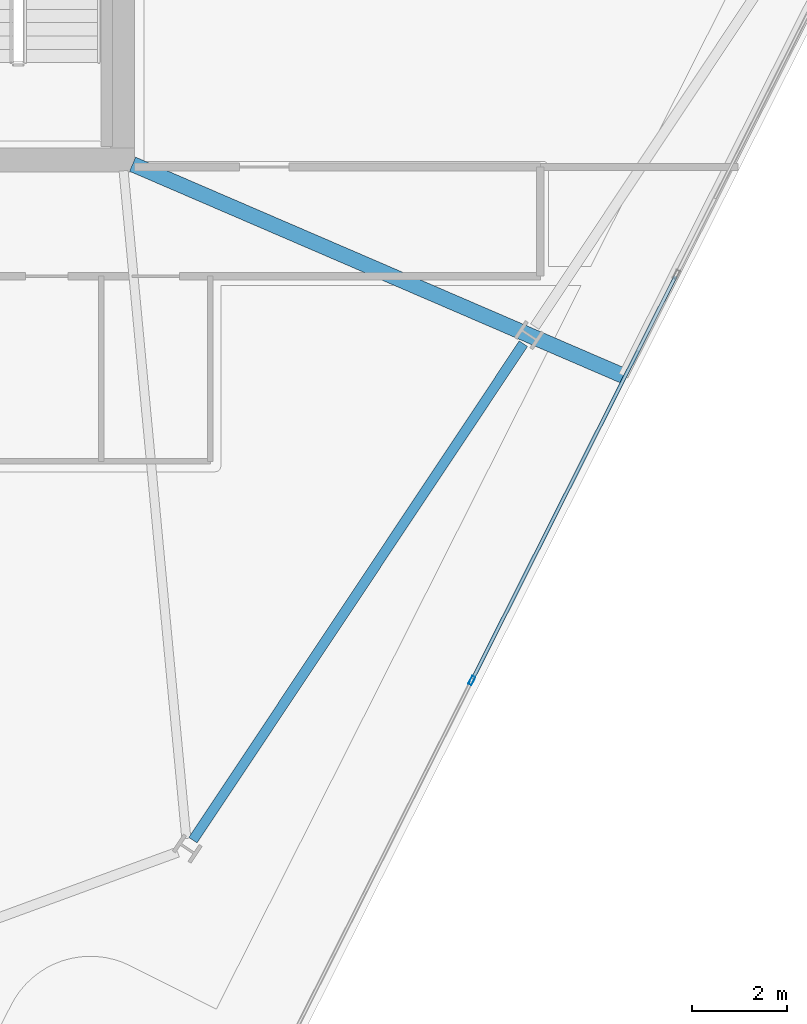
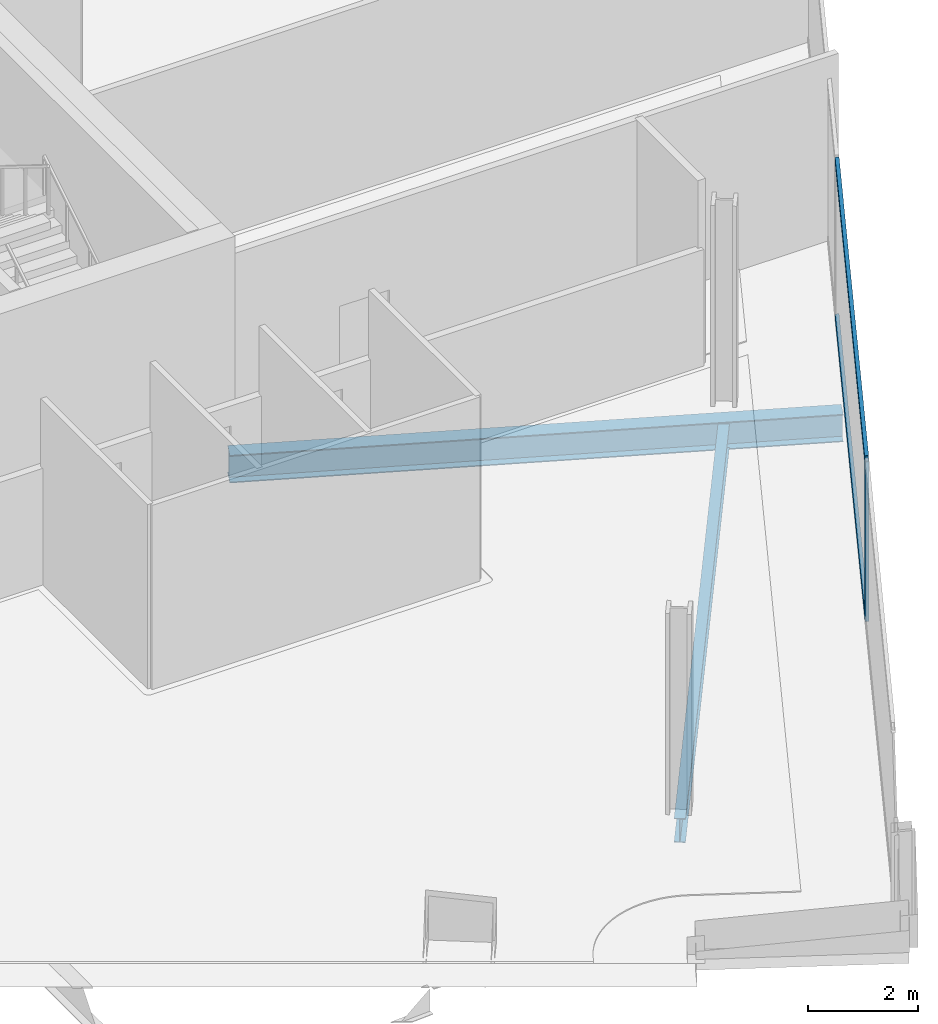
# One storey, part 10 of 27: 3 members, 2 beams, 1 element without a shape of its own.
"""IFC4 building model written with IfcOpenShell, lengths in metres."""

from ifc_helpers import new_model, si_unit, direction, frame, origin, origin_2d, place, context, subcontext, project, spatial, hollow_rectangle, i_section, extrude, material, material_profile, profile_set, type_object, element, aggregate, save


model = new_model("IFC4")

# Units and contexts
model_context = context("Model", 3, precision=1e-05, world=origin(), true_north=direction((0.0, 1.0)))
body_context = subcontext(model_context, "Body", "Model", "MODEL_VIEW")
ifc_project = project(units=[si_unit("LENGTHUNIT", "METRE"), si_unit("AREAUNIT", "SQUARE_METRE"), si_unit("VOLUMEUNIT", "CUBIC_METRE"), si_unit("PLANEANGLEUNIT", "RADIAN"), si_unit("MASSUNIT", "GRAM", prefix="KILO")], contexts=[model_context])

# Site, building, storey
site_placement = place(None, origin())
site = spatial("IfcSite", under=ifc_project, at=site_placement, CompositionType="ELEMENT")
building_placement = place(site_placement, origin())
building = spatial("IfcBuilding", under=site, at=building_placement, Name="Haldenkirk Collegiate Tower", CompositionType="ELEMENT")
storey_placement = place(building_placement, frame((0.0, 0.0, 239.699951171875)))
storey = spatial("IfcBuildingStorey", under=building, at=storey_placement, Name="L60", CompositionType="ELEMENT", Elevation=239.699951171875)

# Beams
ifc_material_1 = material(Name="Steel ASTM A992 Grade 50", Category="steel")
ifc_material_profile_1 = material_profile(ifc_material_1, i_section(OverallWidth=0.324951171875, OverallDepth=0.615966796875, WebThickness=0.013916015625, FlangeThickness=0.021484375, at=origin_2d()), Name="W24X117")
ifc_profile_set_1 = profile_set([ifc_material_profile_1], Name="Steel ASTM A992 Grade 50")
beam_type_1 = type_object("IfcBeamType", Name="BM-GIRDER-W24X117", PredefinedType="BEAM", material=ifc_profile_set_1)
beam_1_placement = place(storey_placement, frame((55.549560546875, 13.452392578125, -0.657958984375), z_axis=(-0.918312941309, 0.395855203104, 0.0), x_axis=(-0.395855203104, -0.918312941309, 0.0)))
element("IfcBeam", 1, at=beam_1_placement, inside=storey, type_object=beam_type_1, Name="L60 primary floor girder 06", PredefinedType="BEAM", context=body_context, shape_type="SweptSolid", body=[
    extrude(i_section(OverallWidth=0.324951171875, OverallDepth=0.615966796875, WebThickness=0.013916015625, FlangeThickness=0.021484375, at=origin_2d()), origin(), (0.0, 0.0, 1.0), 11.258056640625),
])
ifc_material_profile_2 = material_profile(ifc_material_1, i_section(OverallWidth=0.2099609375, OverallDepth=0.537109375, WebThickness=0.010986328125, FlangeThickness=0.017333984375, at=origin_2d()), Name="W21X68")
ifc_profile_set_2 = profile_set([ifc_material_profile_2], Name="Steel ASTM A992 Grade 50")
beam_type_2 = type_object("IfcBeamType", Name="BM-SPANDREL-W21X68", PredefinedType="SPANDREL", material=ifc_profile_set_2)
beam_2_placement = place(storey_placement, frame((46.4833984375, 3.67041015625, -0.618408203125), z_axis=(0.554112521622, 0.832441777773, 0.0), x_axis=(-0.832441777773, 0.554112521622, 0.0)))
element("IfcBeam", 2, at=beam_2_placement, inside=storey, type_object=beam_type_2, Name="L60 perimeter spandrel beam 02", PredefinedType="SPANDREL", context=body_context, shape_type="SweptSolid", body=[
    extrude(i_section(OverallWidth=0.2099609375, OverallDepth=0.537109375, WebThickness=0.010986328125, FlangeThickness=0.017333984375, at=origin_2d()), origin(), (0.0, 0.0, 1.0), 12.561767578125),
])

# Curtain wall, members
ifc_material_2 = material(Name="Anodised architectural bronze aluminium", Category="aluminium")
curtain_wall_type = type_object("IfcCurtainWallType", Name="CW-SYS2-CONCAVE", PredefinedType="USERDEFINED", material=ifc_material_2)
curtain_wall_placement = place(storey_placement, origin())
curtain_wall = element("IfcCurtainWall", 3, at=curtain_wall_placement, inside=storey, type_object=curtain_wall_type, Name="L60 South concave recessed bronze-anodised curtain wall", ObjectType="UNITISED CURTAIN WALL", PredefinedType="USERDEFINED")
ifc_material_profile_3 = material_profile(ifc_material_2, hollow_rectangle(XDim=0.074951171875, YDim=0.18994140625, WallThickness=0.0048828125, at=origin_2d()), Name="CW-MUL-02")
ifc_profile_set_3 = profile_set([ifc_material_profile_3], Name="Anodised architectural bronze aluminium")
member_type_1 = type_object("IfcMemberType", Name="CW-MUL-02", PredefinedType="MULLION", material=ifc_profile_set_3)
member_1_placement = place(storey_placement, frame((52.3583984375, 7.0322265625, 0.0), z_axis=(0.0, 0.0, 1.0), x_axis=(0.892979715279, -0.450096909675, 0.0)))
member_1 = element("IfcMember", 4, at=member_1_placement, type_object=member_type_1, Name="CW-02 mullion 4", PredefinedType="MULLION", context=body_context, shape_type="SweptSolid", body=[
    extrude(hollow_rectangle(XDim=0.074951171875, YDim=0.18994140625, WallThickness=0.0048828125, at=origin_2d()), origin(), (0.0, 0.0, 1.0), 3.55810546875),
])
ifc_material_profile_4 = material_profile(ifc_material_2, hollow_rectangle(XDim=0.074951171875, YDim=0.159912109375, WallThickness=0.0048828125, at=origin_2d()), Name="CW-TRN-02")
ifc_profile_set_4 = profile_set([ifc_material_profile_4], Name="Anodised architectural bronze aluminium")
member_type_2 = type_object("IfcMemberType", Name="CW-TRN-02", PredefinedType="USERDEFINED", material=ifc_profile_set_4)
member_2_placement = place(storey_placement, frame((56.651123046875, 15.549072265625, 0.03759765625), z_axis=(-0.450089550429, -0.892983424591, 0.0), x_axis=(0.892983424591, -0.450089550429, 0.0)))
member_2 = element("IfcMember", 5, at=member_2_placement, type_object=member_type_2, Name="CW-02 transom 3.1", ObjectType="TRANSOM", PredefinedType="USERDEFINED", context=body_context, shape_type="SweptSolid", body=[
    extrude(hollow_rectangle(XDim=0.074951171875, YDim=0.159912109375, WallThickness=0.0048828125, at=origin_2d()), origin(), (0.0, 0.0, 1.0), 9.5),
])
member_3_placement = place(storey_placement, frame((56.651123046875, 15.549072265625, 3.5205078125), z_axis=(-0.450089550429, -0.892983424591, 0.0), x_axis=(0.892983424591, -0.450089550429, 0.0)))
member_3 = element("IfcMember", 6, at=member_3_placement, type_object=member_type_2, Name="CW-02 transom 3.2", ObjectType="TRANSOM", PredefinedType="USERDEFINED", context=body_context, shape_type="SweptSolid", body=[
    extrude(hollow_rectangle(XDim=0.074951171875, YDim=0.159912109375, WallThickness=0.0048828125, at=origin_2d()), origin(), (0.0, 0.0, 1.0), 9.5),
])
aggregate(curtain_wall, [member_1, member_2, member_3])

save(model, "model.ifc")
